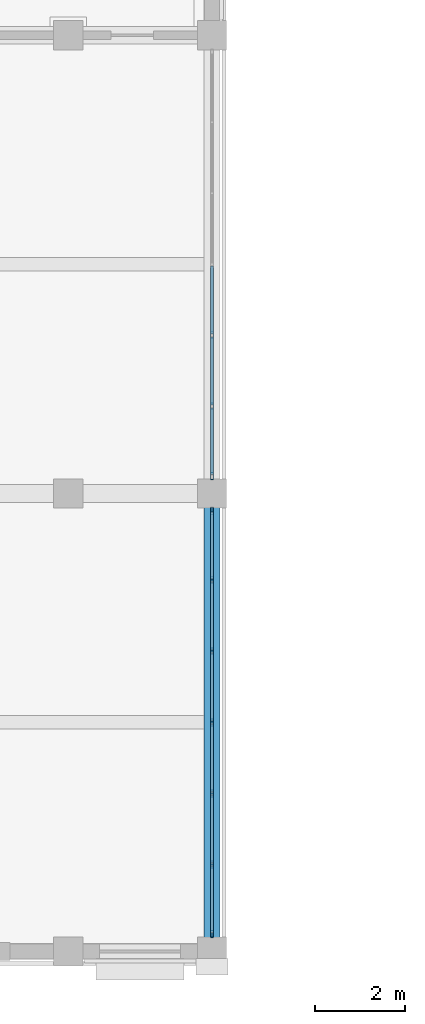
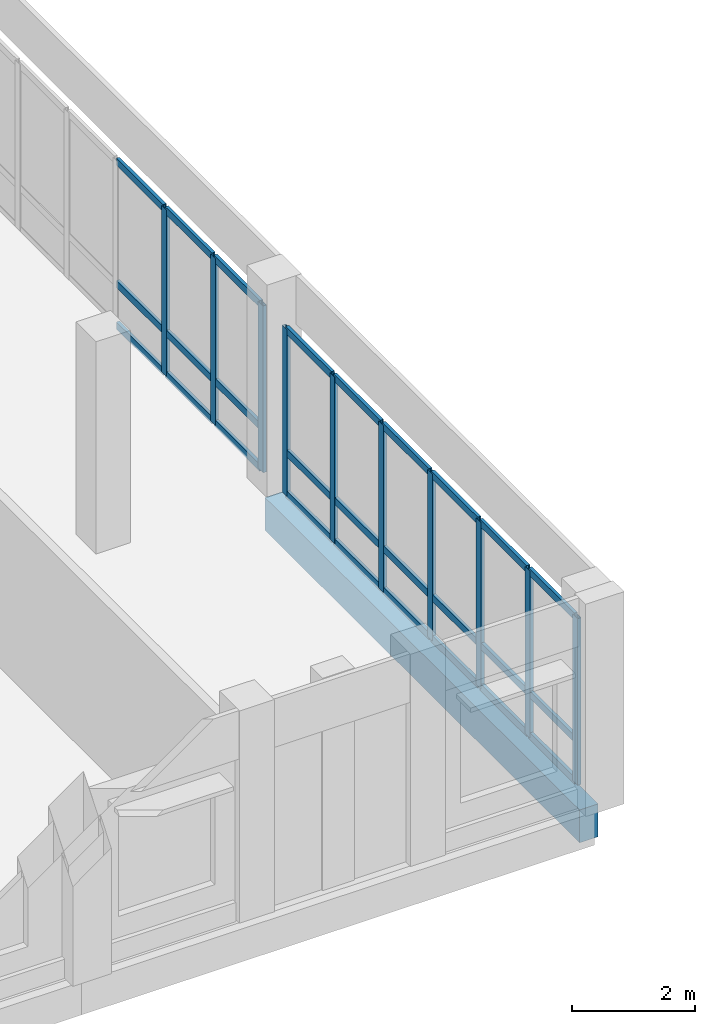
# One storey, part 15 of 200: 37 members, 1 beam, 2 elements without a shape of their own.
"""IFC4 building model written with IfcOpenShell, lengths in metres."""

from ifc_helpers import new_model, si_unit, direction, frame, origin, origin_2d, place, context, subcontext, project, spatial, rectangle, hollow_rectangle, extrude, material, material_profile, profile_set, type_object, element, aggregate, save


model = new_model("IFC4")

# Units and contexts
model_context = context("Model", 3, precision=1e-05, world=origin(), true_north=direction((0.0, 1.0)))
body_context = subcontext(model_context, "Body", "Model", "MODEL_VIEW")
ifc_project = project(units=[si_unit("LENGTHUNIT", "METRE"), si_unit("AREAUNIT", "SQUARE_METRE"), si_unit("VOLUMEUNIT", "CUBIC_METRE"), si_unit("PLANEANGLEUNIT", "RADIAN"), si_unit("MASSUNIT", "GRAM", prefix="KILO")], contexts=[model_context])

# Site, building, storey
site_placement = place(None, origin())
site = spatial("IfcSite", under=ifc_project, at=site_placement, CompositionType="ELEMENT")
building_placement = place(site_placement, origin())
building = spatial("IfcBuilding", under=site, at=building_placement, Name="Vondelvale Polytechnic", CompositionType="ELEMENT")
storey_placement = place(building_placement, frame((0.0, 0.0, 13.800048828125)))
storey = spatial("IfcBuildingStorey", under=building, at=storey_placement, Name="L03", CompositionType="ELEMENT", Elevation=13.800048828125)

# Curtain wall, members
ifc_material_1 = material(Name="Anodised extruded aluminium 6063-T6", Category="aluminium")
curtain_wall_type = type_object("IfcCurtainWallType", Name="CW-STUDIO-NORTH", PredefinedType="NOTDEFINED", material=ifc_material_1)
curtain_wall_1_placement = place(storey_placement, origin())
curtain_wall_1 = element("IfcCurtainWall", 1, at=curtain_wall_1_placement, inside=storey, type_object=curtain_wall_type, Name="L03 architectural curtain wall CW-01-025", PredefinedType="NOTDEFINED")
ifc_material_profile_1 = material_profile(ifc_material_1, hollow_rectangle(XDim=0.06494140625, YDim=0.159912109375, WallThickness=0.0048828125, at=origin_2d()), Name="CW-MUL-160x65")
ifc_profile_set_1 = profile_set([ifc_material_profile_1], Name="Anodised extruded aluminium 6063-T6")
member_type_1 = type_object("IfcMemberType", Name="CW-MUL-65x160", PredefinedType="MULLION", material=ifc_profile_set_1)
member_1_placement = place(storey_placement, frame((48.0, 0.387451171875, 0.0), z_axis=(0.0, 0.0, 1.0), x_axis=(-1.0, 0.0, 0.0)))
member_1 = element("IfcMember", 2, at=member_1_placement, type_object=member_type_1, Name="CW-01-025 mullion 1", PredefinedType="MULLION", context=body_context, shape_type="SweptSolid", body=[
    extrude(hollow_rectangle(XDim=0.06494140625, YDim=0.159912109375, WallThickness=0.0048828125, at=origin_2d()), origin(), (0.0, 0.0, 1.0), 3.300048828125),
])
member_2_placement = place(storey_placement, frame((48.0, 1.936767578125, 0.0), z_axis=(0.0, 0.0, 1.0), x_axis=(-1.0, 0.0, 0.0)))
member_2 = element("IfcMember", 3, at=member_2_placement, type_object=member_type_1, Name="CW-01-025 mullion 2", PredefinedType="MULLION", context=body_context, shape_type="SweptSolid", body=[
    extrude(hollow_rectangle(XDim=0.06494140625, YDim=0.159912109375, WallThickness=0.0048828125, at=origin_2d()), origin(), (0.0, 0.0, 1.0), 3.300048828125),
])
member_3_placement = place(storey_placement, frame((48.0, 3.518310546875, 0.0), z_axis=(0.0, 0.0, 1.0), x_axis=(-1.0, 0.0, 0.0)))
member_3 = element("IfcMember", 4, at=member_3_placement, type_object=member_type_1, Name="CW-01-025 mullion 3", PredefinedType="MULLION", context=body_context, shape_type="SweptSolid", body=[
    extrude(hollow_rectangle(XDim=0.06494140625, YDim=0.159912109375, WallThickness=0.0048828125, at=origin_2d()), origin(), (0.0, 0.0, 1.0), 3.300048828125),
])
member_4_placement = place(storey_placement, frame((48.0, 5.10009765625, 0.0), z_axis=(0.0, 0.0, 1.0), x_axis=(-1.0, 0.0, 0.0)))
member_4 = element("IfcMember", 5, at=member_4_placement, type_object=member_type_1, Name="CW-01-025 mullion 4", PredefinedType="MULLION", context=body_context, shape_type="SweptSolid", body=[
    extrude(hollow_rectangle(XDim=0.06494140625, YDim=0.159912109375, WallThickness=0.0048828125, at=origin_2d()), origin(), (0.0, 0.0, 1.0), 3.300048828125),
])
member_5_placement = place(storey_placement, frame((48.0, 6.681640625, 0.0), z_axis=(0.0, 0.0, 1.0), x_axis=(-1.0, 0.0, 0.0)))
member_5 = element("IfcMember", 6, at=member_5_placement, type_object=member_type_1, Name="CW-01-025 mullion 5", PredefinedType="MULLION", context=body_context, shape_type="SweptSolid", body=[
    extrude(hollow_rectangle(XDim=0.06494140625, YDim=0.159912109375, WallThickness=0.0048828125, at=origin_2d()), origin(), (0.0, 0.0, 1.0), 3.300048828125),
])
member_6_placement = place(storey_placement, frame((48.0, 8.263427734375, 0.0), z_axis=(0.0, 0.0, 1.0), x_axis=(-1.0, 0.0, 0.0)))
member_6 = element("IfcMember", 7, at=member_6_placement, type_object=member_type_1, Name="CW-01-025 mullion 6", PredefinedType="MULLION", context=body_context, shape_type="SweptSolid", body=[
    extrude(hollow_rectangle(XDim=0.06494140625, YDim=0.159912109375, WallThickness=0.0048828125, at=origin_2d()), origin(), (0.0, 0.0, 1.0), 3.300048828125),
])
member_7_placement = place(storey_placement, frame((48.0, 9.8125, 0.0), z_axis=(0.0, 0.0, 1.0), x_axis=(-1.0, 0.0, 0.0)))
member_7 = element("IfcMember", 8, at=member_7_placement, type_object=member_type_1, Name="CW-01-025 mullion 7", PredefinedType="MULLION", context=body_context, shape_type="SweptSolid", body=[
    extrude(hollow_rectangle(XDim=0.06494140625, YDim=0.159912109375, WallThickness=0.0048828125, at=origin_2d()), origin(), (0.0, 0.0, 1.0), 3.300048828125),
])

curtain_wall_2_placement = place(storey_placement, origin())
curtain_wall_2 = element("IfcCurtainWall", 9, at=curtain_wall_2_placement, inside=storey, type_object=curtain_wall_type, Name="L03 architectural curtain wall CW-01-026", PredefinedType="NOTDEFINED")
member_8_placement = place(storey_placement, frame((48.0, 10.58740234375, 0.0), z_axis=(0.0, 0.0, 1.0), x_axis=(-1.0, 0.0, 0.0)))
member_8 = element("IfcMember", 10, at=member_8_placement, type_object=member_type_1, Name="CW-01-026 mullion 1", PredefinedType="MULLION", context=body_context, shape_type="SweptSolid", body=[
    extrude(hollow_rectangle(XDim=0.06494140625, YDim=0.159912109375, WallThickness=0.0048828125, at=origin_2d()), origin(), (0.0, 0.0, 1.0), 3.300048828125),
])
member_9_placement = place(storey_placement, frame((48.0, 12.13671875, 0.0), z_axis=(0.0, 0.0, 1.0), x_axis=(-1.0, 0.0, 0.0)))
member_9 = element("IfcMember", 11, at=member_9_placement, type_object=member_type_1, Name="CW-01-026 mullion 2", PredefinedType="MULLION", context=body_context, shape_type="SweptSolid", body=[
    extrude(hollow_rectangle(XDim=0.06494140625, YDim=0.159912109375, WallThickness=0.0048828125, at=origin_2d()), origin(), (0.0, 0.0, 1.0), 3.300048828125),
])
member_10_placement = place(storey_placement, frame((48.0, 13.71826171875, 0.0), z_axis=(0.0, 0.0, 1.0), x_axis=(-1.0, 0.0, 0.0)))
member_10 = element("IfcMember", 12, at=member_10_placement, type_object=member_type_1, Name="CW-01-026 mullion 3", PredefinedType="MULLION", context=body_context, shape_type="SweptSolid", body=[
    extrude(hollow_rectangle(XDim=0.06494140625, YDim=0.159912109375, WallThickness=0.0048828125, at=origin_2d()), origin(), (0.0, 0.0, 1.0), 3.300048828125),
])

# Member
ifc_material_profile_2 = material_profile(ifc_material_1, hollow_rectangle(XDim=0.06005859375, YDim=0.139892578125, WallThickness=0.00341796875, at=origin_2d()), Name="CW-TRN-140x60")
ifc_profile_set_2 = profile_set([ifc_material_profile_2], Name="Anodised extruded aluminium 6063-T6")
member_type_2 = type_object("IfcMemberType", Name="CW-TRN-60x140", PredefinedType="USERDEFINED", material=ifc_profile_set_2)
member_11_placement = place(storey_placement, frame((48.0, 0.419921875, 0.030029296875), z_axis=(0.0, 1.0, 0.0), x_axis=(-1.0, 0.0, 0.0)))
member_11 = element("IfcMember", 13, at=member_11_placement, type_object=member_type_2, Name="CW-01-025 transom 1.1", ObjectType="TRANSOM", PredefinedType="USERDEFINED", context=body_context, shape_type="SweptSolid", body=[
    extrude(hollow_rectangle(XDim=0.06005859375, YDim=0.139892578125, WallThickness=0.00341796875, at=origin_2d()), origin(), (0.0, 0.0, 1.0), 1.484130859375),
])

member_12_placement = place(storey_placement, frame((48.0, 0.419921875, 0.849853515625), z_axis=(0.0, 1.0, 0.0), x_axis=(-1.0, 0.0, 0.0)))
member_12 = element("IfcMember", 14, at=member_12_placement, type_object=member_type_2, Name="CW-01-025 transom 1.2", ObjectType="TRANSOM", PredefinedType="USERDEFINED", context=body_context, shape_type="SweptSolid", body=[
    extrude(hollow_rectangle(XDim=0.06005859375, YDim=0.139892578125, WallThickness=0.00341796875, at=origin_2d()), origin(), (0.0, 0.0, 1.0), 1.484130859375),
])

member_13_placement = place(storey_placement, frame((48.0, 0.419921875, 3.27001953125), z_axis=(0.0, 1.0, 0.0), x_axis=(-1.0, 0.0, 0.0)))
member_13 = element("IfcMember", 15, at=member_13_placement, type_object=member_type_2, Name="CW-01-025 transom 1.3", ObjectType="TRANSOM", PredefinedType="USERDEFINED", context=body_context, shape_type="SweptSolid", body=[
    extrude(hollow_rectangle(XDim=0.06005859375, YDim=0.139892578125, WallThickness=0.00341796875, at=origin_2d()), origin(), (0.0, 0.0, 1.0), 1.484130859375),
])

member_14_placement = place(storey_placement, frame((48.0, 1.96923828125, 0.030029296875), z_axis=(0.0, 1.0, 0.0), x_axis=(-1.0, 0.0, 0.0)))
member_14 = element("IfcMember", 16, at=member_14_placement, type_object=member_type_2, Name="CW-01-025 transom 2.1", ObjectType="TRANSOM", PredefinedType="USERDEFINED", context=body_context, shape_type="SweptSolid", body=[
    extrude(hollow_rectangle(XDim=0.06005859375, YDim=0.139892578125, WallThickness=0.00341796875, at=origin_2d()), origin(), (0.0, 0.0, 1.0), 1.5166015625),
])

member_15_placement = place(storey_placement, frame((48.0, 1.96923828125, 0.849853515625), z_axis=(0.0, 1.0, 0.0), x_axis=(-1.0, 0.0, 0.0)))
member_15 = element("IfcMember", 17, at=member_15_placement, type_object=member_type_2, Name="CW-01-025 transom 2.2", ObjectType="TRANSOM", PredefinedType="USERDEFINED", context=body_context, shape_type="SweptSolid", body=[
    extrude(hollow_rectangle(XDim=0.06005859375, YDim=0.139892578125, WallThickness=0.00341796875, at=origin_2d()), origin(), (0.0, 0.0, 1.0), 1.5166015625),
])

member_16_placement = place(storey_placement, frame((48.0, 1.96923828125, 3.27001953125), z_axis=(0.0, 1.0, 0.0), x_axis=(-1.0, 0.0, 0.0)))
member_16 = element("IfcMember", 18, at=member_16_placement, type_object=member_type_2, Name="CW-01-025 transom 2.3", ObjectType="TRANSOM", PredefinedType="USERDEFINED", context=body_context, shape_type="SweptSolid", body=[
    extrude(hollow_rectangle(XDim=0.06005859375, YDim=0.139892578125, WallThickness=0.00341796875, at=origin_2d()), origin(), (0.0, 0.0, 1.0), 1.5166015625),
])

member_17_placement = place(storey_placement, frame((48.0, 3.55078125, 0.030029296875), z_axis=(0.0, 1.0, 0.0), x_axis=(-1.0, 0.0, 0.0)))
member_17 = element("IfcMember", 19, at=member_17_placement, type_object=member_type_2, Name="CW-01-025 transom 3.1", ObjectType="TRANSOM", PredefinedType="USERDEFINED", context=body_context, shape_type="SweptSolid", body=[
    extrude(hollow_rectangle(XDim=0.06005859375, YDim=0.139892578125, WallThickness=0.00341796875, at=origin_2d()), origin(), (0.0, 0.0, 1.0), 1.5166015625),
])

member_18_placement = place(storey_placement, frame((48.0, 3.55078125, 0.849853515625), z_axis=(0.0, 1.0, 0.0), x_axis=(-1.0, 0.0, 0.0)))
member_18 = element("IfcMember", 20, at=member_18_placement, type_object=member_type_2, Name="CW-01-025 transom 3.2", ObjectType="TRANSOM", PredefinedType="USERDEFINED", context=body_context, shape_type="SweptSolid", body=[
    extrude(hollow_rectangle(XDim=0.06005859375, YDim=0.139892578125, WallThickness=0.00341796875, at=origin_2d()), origin(), (0.0, 0.0, 1.0), 1.5166015625),
])

member_19_placement = place(storey_placement, frame((48.0, 3.55078125, 3.27001953125), z_axis=(0.0, 1.0, 0.0), x_axis=(-1.0, 0.0, 0.0)))
member_19 = element("IfcMember", 21, at=member_19_placement, type_object=member_type_2, Name="CW-01-025 transom 3.3", ObjectType="TRANSOM", PredefinedType="USERDEFINED", context=body_context, shape_type="SweptSolid", body=[
    extrude(hollow_rectangle(XDim=0.06005859375, YDim=0.139892578125, WallThickness=0.00341796875, at=origin_2d()), origin(), (0.0, 0.0, 1.0), 1.5166015625),
])

member_20_placement = place(storey_placement, frame((48.0, 5.132568359375, 0.030029296875), z_axis=(0.0, 1.0, 0.0), x_axis=(-1.0, 0.0, 0.0)))
member_20 = element("IfcMember", 22, at=member_20_placement, type_object=member_type_2, Name="CW-01-025 transom 4.1", ObjectType="TRANSOM", PredefinedType="USERDEFINED", context=body_context, shape_type="SweptSolid", body=[
    extrude(hollow_rectangle(XDim=0.06005859375, YDim=0.139892578125, WallThickness=0.00341796875, at=origin_2d()), origin(), (0.0, 0.0, 1.0), 1.5166015625),
])

member_21_placement = place(storey_placement, frame((48.0, 5.132568359375, 0.849853515625), z_axis=(0.0, 1.0, 0.0), x_axis=(-1.0, 0.0, 0.0)))
member_21 = element("IfcMember", 23, at=member_21_placement, type_object=member_type_2, Name="CW-01-025 transom 4.2", ObjectType="TRANSOM", PredefinedType="USERDEFINED", context=body_context, shape_type="SweptSolid", body=[
    extrude(hollow_rectangle(XDim=0.06005859375, YDim=0.139892578125, WallThickness=0.00341796875, at=origin_2d()), origin(), (0.0, 0.0, 1.0), 1.5166015625),
])

member_22_placement = place(storey_placement, frame((48.0, 5.132568359375, 3.27001953125), z_axis=(0.0, 1.0, 0.0), x_axis=(-1.0, 0.0, 0.0)))
member_22 = element("IfcMember", 24, at=member_22_placement, type_object=member_type_2, Name="CW-01-025 transom 4.3", ObjectType="TRANSOM", PredefinedType="USERDEFINED", context=body_context, shape_type="SweptSolid", body=[
    extrude(hollow_rectangle(XDim=0.06005859375, YDim=0.139892578125, WallThickness=0.00341796875, at=origin_2d()), origin(), (0.0, 0.0, 1.0), 1.5166015625),
])

member_23_placement = place(storey_placement, frame((48.0, 6.714111328125, 0.030029296875), z_axis=(0.0, 1.0, 0.0), x_axis=(-1.0, 0.0, 0.0)))
member_23 = element("IfcMember", 25, at=member_23_placement, type_object=member_type_2, Name="CW-01-025 transom 5.1", ObjectType="TRANSOM", PredefinedType="USERDEFINED", context=body_context, shape_type="SweptSolid", body=[
    extrude(hollow_rectangle(XDim=0.06005859375, YDim=0.139892578125, WallThickness=0.00341796875, at=origin_2d()), origin(), (0.0, 0.0, 1.0), 1.5166015625),
])

member_24_placement = place(storey_placement, frame((48.0, 6.714111328125, 0.849853515625), z_axis=(0.0, 1.0, 0.0), x_axis=(-1.0, 0.0, 0.0)))
member_24 = element("IfcMember", 26, at=member_24_placement, type_object=member_type_2, Name="CW-01-025 transom 5.2", ObjectType="TRANSOM", PredefinedType="USERDEFINED", context=body_context, shape_type="SweptSolid", body=[
    extrude(hollow_rectangle(XDim=0.06005859375, YDim=0.139892578125, WallThickness=0.00341796875, at=origin_2d()), origin(), (0.0, 0.0, 1.0), 1.5166015625),
])

member_25_placement = place(storey_placement, frame((48.0, 6.714111328125, 3.27001953125), z_axis=(0.0, 1.0, 0.0), x_axis=(-1.0, 0.0, 0.0)))
member_25 = element("IfcMember", 27, at=member_25_placement, type_object=member_type_2, Name="CW-01-025 transom 5.3", ObjectType="TRANSOM", PredefinedType="USERDEFINED", context=body_context, shape_type="SweptSolid", body=[
    extrude(hollow_rectangle(XDim=0.06005859375, YDim=0.139892578125, WallThickness=0.00341796875, at=origin_2d()), origin(), (0.0, 0.0, 1.0), 1.5166015625),
])

member_26_placement = place(storey_placement, frame((48.0, 8.2958984375, 0.030029296875), z_axis=(0.0, 1.0, 0.0), x_axis=(-1.0, 0.0, 0.0)))
member_26 = element("IfcMember", 28, at=member_26_placement, type_object=member_type_2, Name="CW-01-025 transom 6.1", ObjectType="TRANSOM", PredefinedType="USERDEFINED", context=body_context, shape_type="SweptSolid", body=[
    extrude(hollow_rectangle(XDim=0.06005859375, YDim=0.139892578125, WallThickness=0.00341796875, at=origin_2d()), origin(), (0.0, 0.0, 1.0), 1.484130859375),
])

member_27_placement = place(storey_placement, frame((48.0, 8.2958984375, 0.849853515625), z_axis=(0.0, 1.0, 0.0), x_axis=(-1.0, 0.0, 0.0)))
member_27 = element("IfcMember", 29, at=member_27_placement, type_object=member_type_2, Name="CW-01-025 transom 6.2", ObjectType="TRANSOM", PredefinedType="USERDEFINED", context=body_context, shape_type="SweptSolid", body=[
    extrude(hollow_rectangle(XDim=0.06005859375, YDim=0.139892578125, WallThickness=0.00341796875, at=origin_2d()), origin(), (0.0, 0.0, 1.0), 1.484130859375),
])

member_28_placement = place(storey_placement, frame((48.0, 8.2958984375, 3.27001953125), z_axis=(0.0, 1.0, 0.0), x_axis=(-1.0, 0.0, 0.0)))
member_28 = element("IfcMember", 30, at=member_28_placement, type_object=member_type_2, Name="CW-01-025 transom 6.3", ObjectType="TRANSOM", PredefinedType="USERDEFINED", context=body_context, shape_type="SweptSolid", body=[
    extrude(hollow_rectangle(XDim=0.06005859375, YDim=0.139892578125, WallThickness=0.00341796875, at=origin_2d()), origin(), (0.0, 0.0, 1.0), 1.484130859375),
])

aggregate(curtain_wall_1, [member_1, member_2, member_3, member_4, member_5, member_6, member_7, member_11, member_12, member_13, member_14, member_15, member_16, member_17, member_18, member_19, member_20, member_21, member_22, member_23, member_24, member_25, member_26, member_27, member_28])

member_29_placement = place(storey_placement, frame((48.0, 10.6201171875, 0.030029296875), z_axis=(0.0, 1.0, 0.0), x_axis=(-1.0, 0.0, 0.0)))
member_29 = element("IfcMember", 31, at=member_29_placement, type_object=member_type_2, Name="CW-01-026 transom 1.1", ObjectType="TRANSOM", PredefinedType="USERDEFINED", context=body_context, shape_type="SweptSolid", body=[
    extrude(hollow_rectangle(XDim=0.06005859375, YDim=0.139892578125, WallThickness=0.00341796875, at=origin_2d()), origin(), (0.0, 0.0, 1.0), 1.484130859375),
])

member_30_placement = place(storey_placement, frame((48.0, 10.6201171875, 0.849853515625), z_axis=(0.0, 1.0, 0.0), x_axis=(-1.0, 0.0, 0.0)))
member_30 = element("IfcMember", 32, at=member_30_placement, type_object=member_type_2, Name="CW-01-026 transom 1.2", ObjectType="TRANSOM", PredefinedType="USERDEFINED", context=body_context, shape_type="SweptSolid", body=[
    extrude(hollow_rectangle(XDim=0.06005859375, YDim=0.139892578125, WallThickness=0.00341796875, at=origin_2d()), origin(), (0.0, 0.0, 1.0), 1.484130859375),
])

member_31_placement = place(storey_placement, frame((48.0, 10.6201171875, 3.27001953125), z_axis=(0.0, 1.0, 0.0), x_axis=(-1.0, 0.0, 0.0)))
member_31 = element("IfcMember", 33, at=member_31_placement, type_object=member_type_2, Name="CW-01-026 transom 1.3", ObjectType="TRANSOM", PredefinedType="USERDEFINED", context=body_context, shape_type="SweptSolid", body=[
    extrude(hollow_rectangle(XDim=0.06005859375, YDim=0.139892578125, WallThickness=0.00341796875, at=origin_2d()), origin(), (0.0, 0.0, 1.0), 1.484130859375),
])

member_32_placement = place(storey_placement, frame((48.0, 12.169189453125, 0.030029296875), z_axis=(0.0, 1.0, 0.0), x_axis=(-1.0, 0.0, 0.0)))
member_32 = element("IfcMember", 34, at=member_32_placement, type_object=member_type_2, Name="CW-01-026 transom 2.1", ObjectType="TRANSOM", PredefinedType="USERDEFINED", context=body_context, shape_type="SweptSolid", body=[
    extrude(hollow_rectangle(XDim=0.06005859375, YDim=0.139892578125, WallThickness=0.00341796875, at=origin_2d()), origin(), (0.0, 0.0, 1.0), 1.5166015625),
])

member_33_placement = place(storey_placement, frame((48.0, 12.169189453125, 0.849853515625), z_axis=(0.0, 1.0, 0.0), x_axis=(-1.0, 0.0, 0.0)))
member_33 = element("IfcMember", 35, at=member_33_placement, type_object=member_type_2, Name="CW-01-026 transom 2.2", ObjectType="TRANSOM", PredefinedType="USERDEFINED", context=body_context, shape_type="SweptSolid", body=[
    extrude(hollow_rectangle(XDim=0.06005859375, YDim=0.139892578125, WallThickness=0.00341796875, at=origin_2d()), origin(), (0.0, 0.0, 1.0), 1.5166015625),
])

member_34_placement = place(storey_placement, frame((48.0, 12.169189453125, 3.27001953125), z_axis=(0.0, 1.0, 0.0), x_axis=(-1.0, 0.0, 0.0)))
member_34 = element("IfcMember", 36, at=member_34_placement, type_object=member_type_2, Name="CW-01-026 transom 2.3", ObjectType="TRANSOM", PredefinedType="USERDEFINED", context=body_context, shape_type="SweptSolid", body=[
    extrude(hollow_rectangle(XDim=0.06005859375, YDim=0.139892578125, WallThickness=0.00341796875, at=origin_2d()), origin(), (0.0, 0.0, 1.0), 1.5166015625),
])

member_35_placement = place(storey_placement, frame((48.0, 13.750732421875, 0.030029296875), z_axis=(0.0, 1.0, 0.0), x_axis=(-1.0, 0.0, 0.0)))
member_35 = element("IfcMember", 37, at=member_35_placement, type_object=member_type_2, Name="CW-01-026 transom 3.1", ObjectType="TRANSOM", PredefinedType="USERDEFINED", context=body_context, shape_type="SweptSolid", body=[
    extrude(hollow_rectangle(XDim=0.06005859375, YDim=0.139892578125, WallThickness=0.00341796875, at=origin_2d()), origin(), (0.0, 0.0, 1.0), 1.516845703125),
])

member_36_placement = place(storey_placement, frame((48.0, 13.750732421875, 0.849853515625), z_axis=(0.0, 1.0, 0.0), x_axis=(-1.0, 0.0, 0.0)))
member_36 = element("IfcMember", 38, at=member_36_placement, type_object=member_type_2, Name="CW-01-026 transom 3.2", ObjectType="TRANSOM", PredefinedType="USERDEFINED", context=body_context, shape_type="SweptSolid", body=[
    extrude(hollow_rectangle(XDim=0.06005859375, YDim=0.139892578125, WallThickness=0.00341796875, at=origin_2d()), origin(), (0.0, 0.0, 1.0), 1.516845703125),
])

member_37_placement = place(storey_placement, frame((48.0, 13.750732421875, 3.27001953125), z_axis=(0.0, 1.0, 0.0), x_axis=(-1.0, 0.0, 0.0)))
member_37 = element("IfcMember", 39, at=member_37_placement, type_object=member_type_2, Name="CW-01-026 transom 3.3", ObjectType="TRANSOM", PredefinedType="USERDEFINED", context=body_context, shape_type="SweptSolid", body=[
    extrude(hollow_rectangle(XDim=0.06005859375, YDim=0.139892578125, WallThickness=0.00341796875, at=origin_2d()), origin(), (0.0, 0.0, 1.0), 1.516845703125),
])

aggregate(curtain_wall_2, [member_8, member_9, member_10, member_29, member_30, member_31, member_32, member_33, member_34, member_35, member_36, member_37])

# Beam
ifc_material_2 = material(Name="Precast concrete N40 (f'c = 40 MPa)", Category="concrete")
ifc_material_profile_3 = material_profile(ifc_material_2, rectangle(XDim=0.35009765625, YDim=0.64990234375, at=origin_2d()), Name="RC-SPN-350x650")
ifc_profile_set_3 = profile_set([ifc_material_profile_3], Name="Precast concrete N40 (f'c = 40 MPa)")
beam_type = type_object("IfcBeamType", Name="SPN-PRE350x650", PredefinedType="SPANDREL", material=ifc_profile_set_3)
beam_placement = place(storey_placement, frame((48.0, 0.0, -0.574951171875), z_axis=(0.0, 1.0, 0.0), x_axis=(-1.0, 0.0, 0.0)))
element("IfcBeam", 40, at=beam_placement, inside=storey, type_object=beam_type, Name="L03 B SP-02", PredefinedType="SPANDREL", context=body_context, shape_type="SweptSolid", body=[
    extrude(rectangle(XDim=0.35009765625, YDim=0.64990234375, at=origin_2d()), origin(), (0.0, 0.0, 1.0), 10.199951171875),
])

save(model, "model.ifc")
